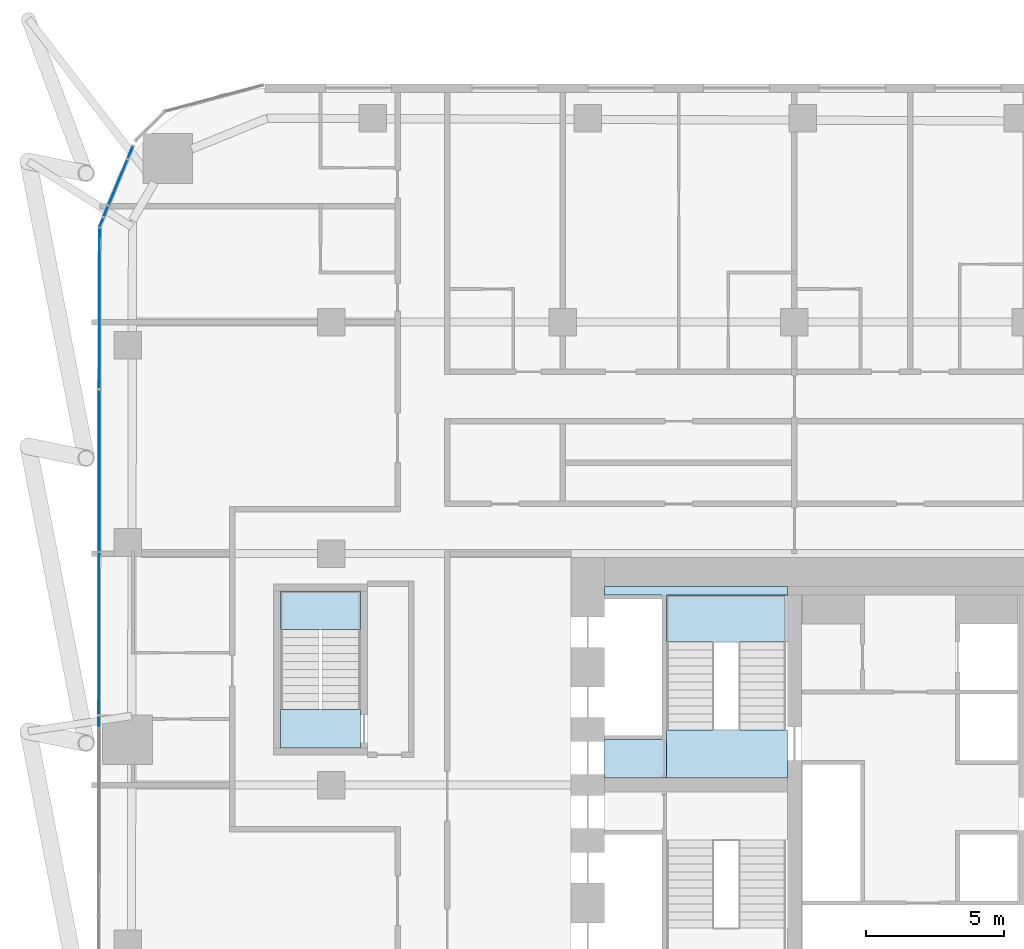
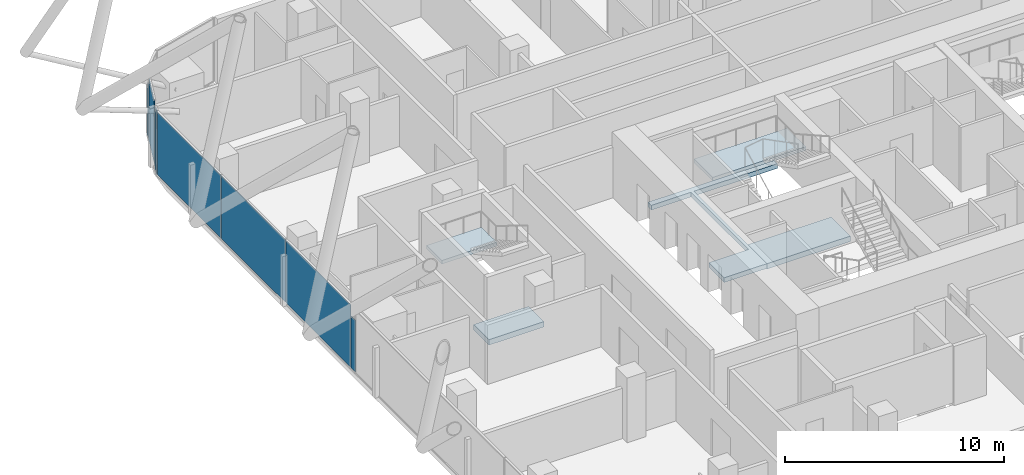
# One storey, part 24 of 36: 8 plates, 5 slabs, 8 elements without a shape of their own.
"""IFC4 building model written with IfcOpenShell, lengths in metres."""

from ifc_helpers import new_model, si_unit, direction, frame, origin, origin_2d, place, context, subcontext, project, spatial, polyline, rectangle, outline, extrude, material, layer, layer_set, type_object, element, aggregate, save


model = new_model("IFC4")

# Units and contexts
model_context = context("Model", 3, precision=1e-05, world=origin(), true_north=direction((0.0, 1.0)))
body_context = subcontext(model_context, "Body", "Model", "MODEL_VIEW")
ifc_project = project(units=[si_unit("LENGTHUNIT", "METRE"), si_unit("AREAUNIT", "SQUARE_METRE"), si_unit("VOLUMEUNIT", "CUBIC_METRE"), si_unit("PLANEANGLEUNIT", "RADIAN"), si_unit("MASSUNIT", "GRAM", prefix="KILO")], contexts=[model_context])

# Site, building, storey
site_placement = place(None, origin())
site = spatial("IfcSite", under=ifc_project, at=site_placement, CompositionType="ELEMENT")
building_placement = place(site_placement, origin())
building = spatial("IfcBuilding", under=site, at=building_placement, Name="Marenta Gate Hotel Tower", CompositionType="ELEMENT")
storey_placement = place(building_placement, frame((0.0, 0.0, 83.300048828125)))
storey = spatial("IfcBuildingStorey", under=building, at=storey_placement, Name="L19", CompositionType="ELEMENT", Elevation=83.300048828125)

# Slab
ifc_material_1 = material(Name="Concrete C40", Category="concrete")
ifc_layer_1 = layer(ifc_material_1, 0.260009765625)
ifc_layer_set_1 = layer_set([ifc_layer_1], Name="Concrete C40")
slab_type_1 = type_object("IfcSlabType", Name="Core floor slab 260", PredefinedType="FLOOR", material=ifc_layer_set_1)
slab_1_placement = place(storey_placement, frame((0.0, 0.0, -0.260009765625)))
element("IfcSlab", 1, at=slab_1_placement, inside=storey, type_object=slab_type_1, Name="L19-CF-6", PredefinedType="FLOOR", context=body_context, shape_type="SweptSolid", body=[
    extrude(outline(polyline([(-4.449951171875, 15.300048828125), (-8.85009765625, 15.300048828125), (-8.85009765625, 10.39990234375), (-8.85009765625, 8.699951171875), (-8.85009765625, 8.64990234375), (-11.10009765625, 8.64990234375), (-11.10009765625, 10.050048828125), (-9.0, 10.050048828125), (-9.0, 10.199951171875), (-9.0, 12.60009765625), (-9.0, 12.75), (-9.0, 15.14990234375), (-9.0, 15.300048828125), (-11.10009765625, 15.300048828125), (-11.10009765625, 15.60009765625), (-4.449951171875, 15.60009765625), (-4.449951171875, 15.300048828125)])), origin(), (0.0, 0.0, 1.0), 0.260009765625),
])

# Stair, slab
ifc_material_2 = material(Name="Concrete C40", Category="concrete")
stair_type_1 = type_object("IfcStairType", Name="Core exit stair 1700 wide", PredefinedType="HALF_TURN_STAIR", material=ifc_material_2)
stair_1_placement = place(storey_placement, origin())
stair_1 = element("IfcStair", 2, at=stair_1_placement, inside=storey, type_object=stair_type_1, Name="Exit stair 2", PredefinedType="HALF_TURN_STAIR")
ifc_material_3 = material(Name="Concrete C40", Category="concrete")
ifc_layer_2 = layer(ifc_material_3, 0.199951171875)
ifc_layer_set_2 = layer_set([ifc_layer_2], Name="Concrete C40")
slab_type_2 = type_object("IfcSlabType", Name="Core stair landing 200", PredefinedType="LANDING", material=ifc_layer_set_2)
slab_2_placement = place(storey_placement, frame((0.0, 0.0, 1.599853515625)))
slab_2 = element("IfcSlab", 3, at=slab_2_placement, type_object=slab_type_2, Name="SL-200 ST2 landing 1", PredefinedType="LANDING", context=body_context, shape_type="SweptSolid", body=[
    extrude(outline(polyline([(-8.85009765625, 13.590087890625), (-3.949951171875, 13.590087890625), (-3.949951171875, 15.300048828125), (-8.85009765625, 15.300048828125), (-8.85009765625, 13.590087890625)])), origin(), (0.0, 0.0, 1.0), 0.2001953125),
])
aggregate(stair_1, [slab_2])

# Curtain wall, plate
ifc_material_4 = material(Name="Tinted insulated glass in bronze anodised frame", Category="glass")
ifc_layer_3 = layer(ifc_material_4, 0.1201171875)
ifc_layer_set_3 = layer_set([ifc_layer_3], Name="Tinted insulated glass in bronze anodised frame")
curtain_wall_type = type_object("IfcCurtainWallType", Name="Tower unitised curtain wall CW1", PredefinedType="NOTDEFINED", material=ifc_layer_set_3)
curtain_wall_1_placement = place(storey_placement, origin())
curtain_wall_1 = element("IfcCurtainWall", 4, at=curtain_wall_1_placement, inside=storey, type_object=curtain_wall_type, Name="CW1 run G02", PredefinedType="NOTDEFINED")
ifc_material_5 = material(Name="Tinted insulated glass", Category="glass")
ifc_layer_4 = layer(ifc_material_5, 0.028076171875)
ifc_layer_set_4 = layer_set([ifc_layer_4], Name="Tinted insulated glass")
plate_type = type_object("IfcPlateType", Name="Glass panel CW1 28 mm tinted insulated unit", PredefinedType="CURTAIN_PANEL", material=ifc_layer_set_4)
plate_1_placement = place(storey_placement, frame((-28.29736328125, 31.35791015625, 0.06005859375), z_axis=(0.0, 0.0, 1.0), x_axis=(-0.382752000815, -0.923851127548, 0.0)))
plate_1 = element("IfcPlate", 5, at=plate_1_placement, type_object=plate_type, Name="CW1 panel 1.1", PredefinedType="CURTAIN_PANEL", context=body_context, shape_type="SweptSolid", body=[
    extrude(rectangle(XDim=0.46240234375, YDim=0.028076171875, at=origin_2d()), origin(), (0.0, 0.0, 1.0), 2.880615234375),
])
aggregate(curtain_wall_1, [plate_1])

curtain_wall_2_placement = place(storey_placement, origin())
curtain_wall_2 = element("IfcCurtainWall", 6, at=curtain_wall_2_placement, inside=storey, type_object=curtain_wall_type, Name="CW1 run G03", PredefinedType="NOTDEFINED")
plate_2_placement = place(storey_placement, frame((-28.7470703125, 30.272216796875, 0.06005859375), z_axis=(0.0, 0.0, 1.0), x_axis=(-0.382664275012, -0.923887467514, 0.0)))
plate_2 = element("IfcPlate", 7, at=plate_2_placement, type_object=plate_type, Name="CW1 panel 1.1", PredefinedType="CURTAIN_PANEL", context=body_context, shape_type="SweptSolid", body=[
    extrude(rectangle(XDim=1.767578125, YDim=0.028076171875, at=origin_2d()), origin(), (0.0, 0.0, 1.0), 3.47998046875),
])
aggregate(curtain_wall_2, [plate_2])

curtain_wall_3_placement = place(storey_placement, origin())
curtain_wall_3 = element("IfcCurtainWall", 8, at=curtain_wall_3_placement, inside=storey, type_object=curtain_wall_type, Name="CW1 run G04", PredefinedType="NOTDEFINED")
plate_3_placement = place(storey_placement, frame((-29.184814453125, 29.215576171875, 0.06005859375), z_axis=(0.0, 0.0, 1.0), x_axis=(-0.382838458625, -0.923815303293, 0.0)))
plate_3 = element("IfcPlate", 9, at=plate_3_placement, type_object=plate_type, Name="CW1 panel 1.1", PredefinedType="CURTAIN_PANEL", context=body_context, shape_type="SweptSolid", body=[
    extrude(rectangle(XDim=0.399658203125, YDim=0.028076171875, at=origin_2d()), origin(), (0.0, 0.0, 1.0), 2.880615234375),
])
aggregate(curtain_wall_3, [plate_3])

curtain_wall_4_placement = place(storey_placement, origin())
curtain_wall_4 = element("IfcCurtainWall", 10, at=curtain_wall_4_placement, inside=storey, type_object=curtain_wall_type, Name="CW1 run G05", PredefinedType="NOTDEFINED")
plate_4_placement = place(storey_placement, frame((-29.348388671875, 28.82080078125, 0.06005859375), z_axis=(0.0, 0.0, 1.0), x_axis=(-0.382456188848, -0.923973627119, 0.0)))
plate_4 = element("IfcPlate", 11, at=plate_4_placement, type_object=plate_type, Name="CW1 panel 1.1", PredefinedType="CURTAIN_PANEL", context=body_context, shape_type="SweptSolid", body=[
    extrude(rectangle(XDim=0.334716796875, YDim=0.028076171875, at=origin_2d()), origin(), (0.0, 0.0, 1.0), 3.47998046875),
])
aggregate(curtain_wall_4, [plate_4])

# Curtain wall, plates
curtain_wall_5_placement = place(storey_placement, origin())
curtain_wall_5 = element("IfcCurtainWall", 12, at=curtain_wall_5_placement, inside=storey, type_object=curtain_wall_type, Name="CW1 run G06", PredefinedType="NOTDEFINED")
plate_5_placement = place(storey_placement, frame((-29.4169921875, 25.7001953125, 0.06005859375), z_axis=(0.0, 0.0, 1.0), x_axis=(-0.001570149369, -0.999998767315, 0.0)))
plate_5 = element("IfcPlate", 13, at=plate_5_placement, type_object=plate_type, Name="CW1 panel 1.1", PredefinedType="CURTAIN_PANEL", context=body_context, shape_type="SweptSolid", body=[
    extrude(rectangle(XDim=5.811767578125, YDim=0.028076171875, at=origin_2d()), origin(), (0.0, 0.0, 1.0), 3.47998046875),
])
plate_6_placement = place(storey_placement, frame((-29.42626953125, 19.8134765625, 0.06005859375), z_axis=(0.0, 0.0, 1.0), x_axis=(-0.001570149369, -0.999998767315, 0.0)))
plate_6 = element("IfcPlate", 14, at=plate_6_placement, type_object=plate_type, Name="CW1 panel 2.1", PredefinedType="CURTAIN_PANEL", context=body_context, shape_type="SweptSolid", body=[
    extrude(rectangle(XDim=5.841796875, YDim=0.028076171875, at=origin_2d()), origin(), (0.0, 0.0, 1.0), 3.47998046875),
])
plate_7_placement = place(storey_placement, frame((-29.435546875, 13.896728515625, 0.06005859375), z_axis=(0.0, 0.0, 1.0), x_axis=(-0.001570149369, -0.999998767315, 0.0)))
plate_7 = element("IfcPlate", 15, at=plate_7_placement, type_object=plate_type, Name="CW1 panel 3.1", PredefinedType="CURTAIN_PANEL", context=body_context, shape_type="SweptSolid", body=[
    extrude(rectangle(XDim=5.871826171875, YDim=0.028076171875, at=origin_2d()), origin(), (0.0, 0.0, 1.0), 3.47998046875),
])
aggregate(curtain_wall_5, [plate_5, plate_6, plate_7])

# Curtain wall, plate
curtain_wall_6_placement = place(storey_placement, origin())
curtain_wall_6 = element("IfcCurtainWall", 16, at=curtain_wall_6_placement, inside=storey, type_object=curtain_wall_type, Name="CW1 run G07", PredefinedType="NOTDEFINED")
plate_8_placement = place(storey_placement, frame((-29.4404296875, 10.701904296875, 0.06005859375), z_axis=(0.0, 0.0, 1.0), x_axis=(-0.001528048866, -0.999998832533, 0.0)))
plate_8 = element("IfcPlate", 17, at=plate_8_placement, type_object=plate_type, Name="CW1 panel 1.1", PredefinedType="CURTAIN_PANEL", context=body_context, shape_type="SweptSolid", body=[
    extrude(rectangle(XDim=0.398193359375, YDim=0.028076171875, at=origin_2d()), origin(), (0.0, 0.0, 1.0), 2.880615234375),
])
aggregate(curtain_wall_6, [plate_8])

# Stair, slab
ifc_material_6 = material(Name="Concrete C40", Category="concrete")
stair_type_2 = type_object("IfcStairType", Name="Remote exit stair 1400 wide", PredefinedType="HALF_TURN_STAIR", material=ifc_material_6)
stair_2_placement = place(storey_placement, origin())
stair_2 = element("IfcStair", 18, at=stair_2_placement, inside=storey, type_object=stair_type_2, Name="Exit stair RS-Z1-3", PredefinedType="HALF_TURN_STAIR")
ifc_material_7 = material(Name="Concrete C40", Category="concrete")
ifc_layer_5 = layer(ifc_material_7, 0.199951171875)
ifc_layer_set_5 = layer_set([ifc_layer_5], Name="Concrete C40")
slab_type_3 = type_object("IfcSlabType", Name="Remote stair landing 200", PredefinedType="LANDING", material=ifc_layer_set_5)
slab_3_placement = place(storey_placement, frame((0.0, 0.0, 1.599853515625)))
slab_3 = element("IfcSlab", 19, at=slab_3_placement, type_object=slab_type_3, Name="RL-200 RS-Z1-3 landing 1", PredefinedType="LANDING", context=body_context, shape_type="SweptSolid", body=[
    extrude(outline(polyline([(-22.85009765625, 14.050048828125), (-19.949951171875, 14.050048828125), (-19.949951171875, 15.449951171875), (-22.85009765625, 15.449951171875), (-22.85009765625, 14.050048828125)])), origin(), (0.0, 0.0, 1.0), 0.2001953125),
])
aggregate(stair_2, [slab_3])

# Slabs
ifc_material_8 = material(Name="Concrete C40", Category="concrete")
ifc_layer_6 = layer(ifc_material_8, 0.300048828125)
ifc_layer_set_6 = layer_set([ifc_layer_6], Name="Concrete C40")
slab_type_4 = type_object("IfcSlabType", Name="Stair floor landing slab 300", PredefinedType="FLOOR", material=ifc_layer_set_6)
slab_4_placement = place(storey_placement, frame((0.0, 0.0, -0.300048828125)))
element("IfcSlab", 20, at=slab_4_placement, inside=storey, type_object=slab_type_4, Name="L19-CL-ST2-1", PredefinedType="FLOOR", context=body_context, shape_type="SweptSolid", body=[
    extrude(outline(polyline([(-4.449951171875, 8.64990234375), (-8.85009765625, 8.64990234375), (-8.85009765625, 8.699951171875), (-8.85009765625, 10.39990234375), (-4.449951171875, 10.39990234375), (-4.449951171875, 8.64990234375)])), origin(), (0.0, 0.0, 1.0), 0.300048828125),
])
slab_5_placement = place(storey_placement, frame((0.0, 0.0, -0.300048828125)))
element("IfcSlab", 21, at=slab_5_placement, inside=storey, type_object=slab_type_4, Name="L19-RS-Z1-3-CL", PredefinedType="FLOOR", context=body_context, shape_type="SweptSolid", body=[
    extrude(outline(polyline([(-19.949951171875, 9.75), (-19.949951171875, 11.14990234375), (-22.85009765625, 11.14990234375), (-22.85009765625, 9.75), (-19.949951171875, 9.75)])), origin(), (0.0, 0.0, 1.0), 0.300048828125),
])

save(model, "model.ifc")
